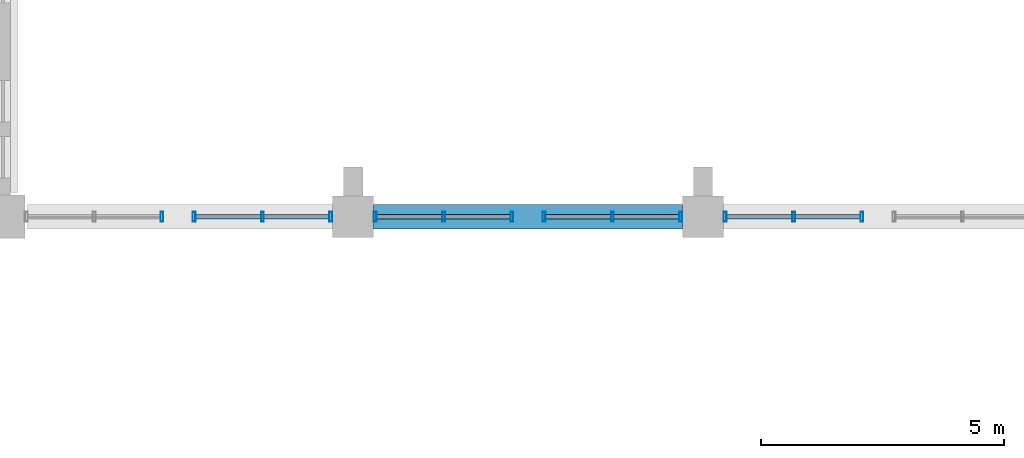
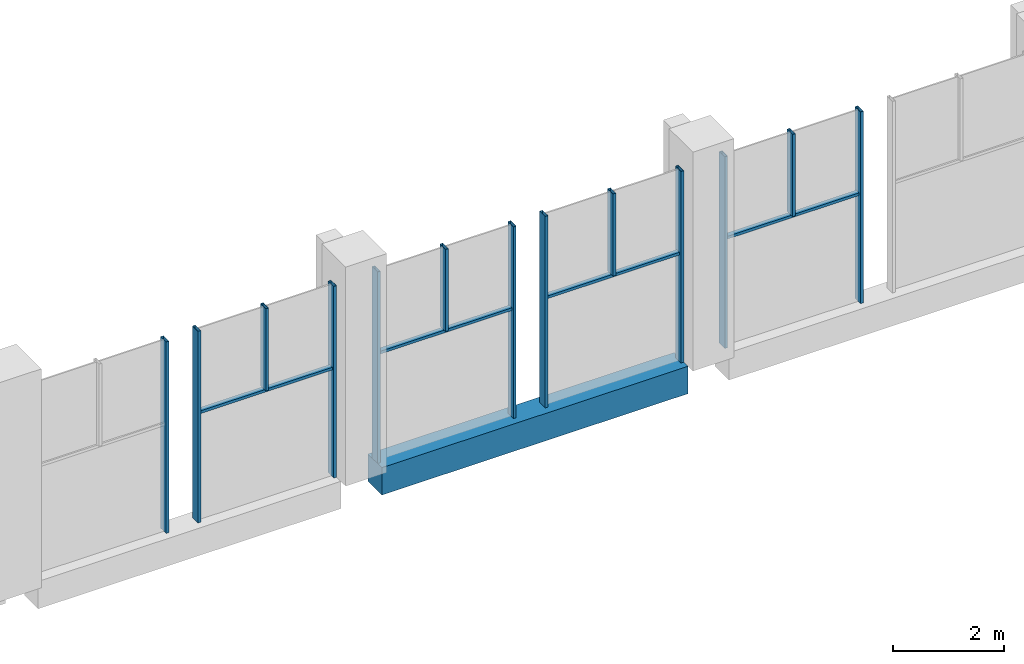
# One storey, part 13 of 40: 17 members, 1 beam, 5 elements without a shape of their own.
"""IFC4 building model written with IfcOpenShell, lengths in metres."""

from ifc_helpers import new_model, si_unit, direction, frame, origin, origin_2d, place, context, subcontext, project, spatial, rectangle, hollow_rectangle, extrude, material, material_profile, profile_set, type_object, element, aggregate, save


model = new_model("IFC4")

# Units and contexts
model_context = context("Model", 3, precision=1e-05, world=origin(), true_north=direction((0.0, 1.0)))
body_context = subcontext(model_context, "Body", "Model", "MODEL_VIEW")
ifc_project = project(units=[si_unit("LENGTHUNIT", "METRE"), si_unit("AREAUNIT", "SQUARE_METRE"), si_unit("VOLUMEUNIT", "CUBIC_METRE"), si_unit("PLANEANGLEUNIT", "RADIAN"), si_unit("MASSUNIT", "GRAM", prefix="KILO")], contexts=[model_context])

# Site, building, storey
site_placement = place(None, origin())
site = spatial("IfcSite", under=ifc_project, at=site_placement, CompositionType="ELEMENT")
building_placement = place(site_placement, origin())
building = spatial("IfcBuilding", under=site, at=building_placement, Name="Silangan Lancet Faculty of Sciences", CompositionType="ELEMENT")
storey_placement = place(building_placement, frame((0.0, 0.0, 16.800048828125)))
storey = spatial("IfcBuildingStorey", under=building, at=storey_placement, Name="L03", CompositionType="ELEMENT", Elevation=16.800048828125)

# Beam
ifc_material_1 = material(Name="Concrete C40/50", Category="concrete")
ifc_material_profile_1 = material_profile(ifc_material_1, rectangle(XDim=0.5, YDim=0.60009765625, at=origin_2d()), Name="RC 500x600")
ifc_profile_set_1 = profile_set([ifc_material_profile_1], Name="Concrete C40/50")
beam_type = type_object("IfcBeamType", Name="BEAM RC 500x600", PredefinedType="BEAM", material=ifc_profile_set_1)
beam_placement = place(storey_placement, frame((36.425048828125, 36.0, -0.300048828125), z_axis=(1.0, 0.0, 0.0), x_axis=(0.0, 1.0, 0.0)))
element("IfcBeam", 1, at=beam_placement, inside=storey, type_object=beam_type, Name="BM-L03-6F-7F", PredefinedType="BEAM", context=body_context, shape_type="SweptSolid", body=[
    extrude(rectangle(XDim=0.5, YDim=0.60009765625, at=origin_2d()), origin(), (0.0, 0.0, 1.0), 6.349853515625),
])

# Curtain wall, members
ifc_material_2 = material(Name="Aluminium framed curtain wall with insulated glass", Category="aluminium")
curtain_wall_type = type_object("IfcCurtainWallType", Name="CW5 Nave north light glazing", PredefinedType="NOTDEFINED", material=ifc_material_2)
curtain_wall_1_placement = place(storey_placement, origin())
curtain_wall_1 = element("IfcCurtainWall", 2, at=curtain_wall_1_placement, inside=storey, type_object=curtain_wall_type, Name="CW5 Nave north lights L03 bay 2", PredefinedType="NOTDEFINED")
ifc_material_3 = material(Name="Aluminium 6063-T6 extrusion", Category="aluminium")
ifc_material_profile_2 = material_profile(ifc_material_3, hollow_rectangle(XDim=0.06005859375, YDim=0.199951171875, WallThickness=0.00390625, at=origin_2d()), Name="AL BOX 60x200x4")
ifc_profile_set_2 = profile_set([ifc_material_profile_2], Name="Aluminium 6063-T6 extrusion")
member_type_1 = type_object("IfcMemberType", Name="CM1 Mullion 60x200", PredefinedType="MULLION", material=ifc_profile_set_2)
member_1_placement = place(storey_placement, frame((46.469970703125, 36.0, 0.0), z_axis=(0.0, 0.0, 1.0), x_axis=(-1.0, 0.0, 0.0)))
member_1 = element("IfcMember", 3, at=member_1_placement, type_object=member_type_1, Name="CW5 Nave north lights L03 bay 2 mullion 1", PredefinedType="MULLION", context=body_context, shape_type="SweptSolid", body=[
    extrude(hollow_rectangle(XDim=0.06005859375, YDim=0.199951171875, WallThickness=0.00390625, at=origin_2d()), origin(), (0.0, 0.0, 1.0), 4.199951171875),
])
member_2_placement = place(storey_placement, frame((43.655029296875, 36.0, 0.0), z_axis=(0.0, 0.0, 1.0), x_axis=(-1.0, 0.0, 0.0)))
member_2 = element("IfcMember", 4, at=member_2_placement, type_object=member_type_1, Name="CW5 Nave north lights L03 bay 2 mullion 2", PredefinedType="MULLION", context=body_context, shape_type="SweptSolid", body=[
    extrude(hollow_rectangle(XDim=0.06005859375, YDim=0.199951171875, WallThickness=0.00390625, at=origin_2d()), origin(), (0.0, 0.0, 1.0), 4.199951171875),
])
member_3_placement = place(storey_placement, frame((45.0625, 36.0, 2.39990234375), z_axis=(0.0, 0.0, 1.0), x_axis=(-1.0, 0.0, 0.0)))
member_3 = element("IfcMember", 5, at=member_3_placement, type_object=member_type_1, Name="CW5 Nave north lights L03 bay 2 mullion 3", PredefinedType="MULLION", context=body_context, shape_type="SweptSolid", body=[
    extrude(hollow_rectangle(XDim=0.06005859375, YDim=0.199951171875, WallThickness=0.00390625, at=origin_2d()), origin(), (0.0, 0.0, 1.0), 1.800048828125),
])

curtain_wall_2_placement = place(storey_placement, origin())
curtain_wall_2 = element("IfcCurtainWall", 6, at=curtain_wall_2_placement, inside=storey, type_object=curtain_wall_type, Name="CW5 Nave north lights L03 bay 3", PredefinedType="NOTDEFINED")
member_4_placement = place(storey_placement, frame((42.7451171875, 36.0, 0.0), z_axis=(0.0, 0.0, 1.0), x_axis=(-1.0, 0.0, 0.0)))
member_4 = element("IfcMember", 7, at=member_4_placement, type_object=member_type_1, Name="CW5 Nave north lights L03 bay 3 mullion 1", PredefinedType="MULLION", context=body_context, shape_type="SweptSolid", body=[
    extrude(hollow_rectangle(XDim=0.06005859375, YDim=0.199951171875, WallThickness=0.00390625, at=origin_2d()), origin(), (0.0, 0.0, 1.0), 4.199951171875),
])
member_5_placement = place(storey_placement, frame((39.93017578125, 36.0, 0.0), z_axis=(0.0, 0.0, 1.0), x_axis=(-1.0, 0.0, 0.0)))
member_5 = element("IfcMember", 8, at=member_5_placement, type_object=member_type_1, Name="CW5 Nave north lights L03 bay 3 mullion 2", PredefinedType="MULLION", context=body_context, shape_type="SweptSolid", body=[
    extrude(hollow_rectangle(XDim=0.06005859375, YDim=0.199951171875, WallThickness=0.00390625, at=origin_2d()), origin(), (0.0, 0.0, 1.0), 4.199951171875),
])
member_6_placement = place(storey_placement, frame((41.337646484375, 36.0, 2.39990234375), z_axis=(0.0, 0.0, 1.0), x_axis=(-1.0, 0.0, 0.0)))
member_6 = element("IfcMember", 9, at=member_6_placement, type_object=member_type_1, Name="CW5 Nave north lights L03 bay 3 mullion 3", PredefinedType="MULLION", context=body_context, shape_type="SweptSolid", body=[
    extrude(hollow_rectangle(XDim=0.06005859375, YDim=0.199951171875, WallThickness=0.00390625, at=origin_2d()), origin(), (0.0, 0.0, 1.0), 1.800048828125),
])

curtain_wall_3_placement = place(storey_placement, origin())
curtain_wall_3 = element("IfcCurtainWall", 10, at=curtain_wall_3_placement, inside=storey, type_object=curtain_wall_type, Name="CW5 Nave north lights L03 bay 4", PredefinedType="NOTDEFINED")
member_7_placement = place(storey_placement, frame((39.27001953125, 36.0, 0.0), z_axis=(0.0, 0.0, 1.0), x_axis=(-1.0, 0.0, 0.0)))
member_7 = element("IfcMember", 11, at=member_7_placement, type_object=member_type_1, Name="CW5 Nave north lights L03 bay 4 mullion 1", PredefinedType="MULLION", context=body_context, shape_type="SweptSolid", body=[
    extrude(hollow_rectangle(XDim=0.06005859375, YDim=0.199951171875, WallThickness=0.00390625, at=origin_2d()), origin(), (0.0, 0.0, 1.0), 4.199951171875),
])
member_8_placement = place(storey_placement, frame((36.455078125, 36.0, 0.0), z_axis=(0.0, 0.0, 1.0), x_axis=(-1.0, 0.0, 0.0)))
member_8 = element("IfcMember", 12, at=member_8_placement, type_object=member_type_1, Name="CW5 Nave north lights L03 bay 4 mullion 2", PredefinedType="MULLION", context=body_context, shape_type="SweptSolid", body=[
    extrude(hollow_rectangle(XDim=0.06005859375, YDim=0.199951171875, WallThickness=0.00390625, at=origin_2d()), origin(), (0.0, 0.0, 1.0), 4.199951171875),
])
member_9_placement = place(storey_placement, frame((37.862548828125, 36.0, 2.39990234375), z_axis=(0.0, 0.0, 1.0), x_axis=(-1.0, 0.0, 0.0)))
member_9 = element("IfcMember", 13, at=member_9_placement, type_object=member_type_1, Name="CW5 Nave north lights L03 bay 4 mullion 3", PredefinedType="MULLION", context=body_context, shape_type="SweptSolid", body=[
    extrude(hollow_rectangle(XDim=0.06005859375, YDim=0.199951171875, WallThickness=0.00390625, at=origin_2d()), origin(), (0.0, 0.0, 1.0), 1.800048828125),
])

curtain_wall_4_placement = place(storey_placement, origin())
curtain_wall_4 = element("IfcCurtainWall", 14, at=curtain_wall_4_placement, inside=storey, type_object=curtain_wall_type, Name="CW5 Nave north lights L03 bay 5", PredefinedType="NOTDEFINED")
member_10_placement = place(storey_placement, frame((35.544921875, 36.0, 0.0), z_axis=(0.0, 0.0, 1.0), x_axis=(-1.0, 0.0, 0.0)))
member_10 = element("IfcMember", 15, at=member_10_placement, type_object=member_type_1, Name="CW5 Nave north lights L03 bay 5 mullion 1", PredefinedType="MULLION", context=body_context, shape_type="SweptSolid", body=[
    extrude(hollow_rectangle(XDim=0.06005859375, YDim=0.199951171875, WallThickness=0.00390625, at=origin_2d()), origin(), (0.0, 0.0, 1.0), 4.199951171875),
])
member_11_placement = place(storey_placement, frame((32.72998046875, 36.0, 0.0), z_axis=(0.0, 0.0, 1.0), x_axis=(-1.0, 0.0, 0.0)))
member_11 = element("IfcMember", 16, at=member_11_placement, type_object=member_type_1, Name="CW5 Nave north lights L03 bay 5 mullion 2", PredefinedType="MULLION", context=body_context, shape_type="SweptSolid", body=[
    extrude(hollow_rectangle(XDim=0.06005859375, YDim=0.199951171875, WallThickness=0.00390625, at=origin_2d()), origin(), (0.0, 0.0, 1.0), 4.199951171875),
])
member_12_placement = place(storey_placement, frame((34.137451171875, 36.0, 2.39990234375), z_axis=(0.0, 0.0, 1.0), x_axis=(-1.0, 0.0, 0.0)))
member_12 = element("IfcMember", 17, at=member_12_placement, type_object=member_type_1, Name="CW5 Nave north lights L03 bay 5 mullion 3", PredefinedType="MULLION", context=body_context, shape_type="SweptSolid", body=[
    extrude(hollow_rectangle(XDim=0.06005859375, YDim=0.199951171875, WallThickness=0.00390625, at=origin_2d()), origin(), (0.0, 0.0, 1.0), 1.800048828125),
])

# Curtain wall, member
curtain_wall_5_placement = place(storey_placement, origin())
curtain_wall_5 = element("IfcCurtainWall", 18, at=curtain_wall_5_placement, inside=storey, type_object=curtain_wall_type, Name="CW5 Nave north lights L03 bay 6", PredefinedType="NOTDEFINED")
member_13_placement = place(storey_placement, frame((32.06982421875, 36.0, 0.0), z_axis=(0.0, 0.0, 1.0), x_axis=(-1.0, 0.0, 0.0)))
member_13 = element("IfcMember", 19, at=member_13_placement, type_object=member_type_1, Name="CW5 Nave north lights L03 bay 6 mullion 1", PredefinedType="MULLION", context=body_context, shape_type="SweptSolid", body=[
    extrude(hollow_rectangle(XDim=0.06005859375, YDim=0.199951171875, WallThickness=0.00390625, at=origin_2d()), origin(), (0.0, 0.0, 1.0), 4.199951171875),
])
aggregate(curtain_wall_5, [member_13])

# Member
ifc_material_4 = material(Name="Aluminium 6063-T6 extrusion", Category="aluminium")
ifc_material_profile_3 = material_profile(ifc_material_4, hollow_rectangle(XDim=0.10009765625, YDim=0.06005859375, WallThickness=0.0029296875, at=origin_2d()), Name="AL BOX 100x60x3")
ifc_profile_set_3 = profile_set([ifc_material_profile_3], Name="Aluminium 6063-T6 extrusion")
member_type_2 = type_object("IfcMemberType", Name="CT1 Transom 100x60", PredefinedType="USERDEFINED", material=ifc_profile_set_3)
member_14_placement = place(storey_placement, frame((46.43994140625, 36.0, 2.369873046875), z_axis=(-1.0, 0.0, 0.0), x_axis=(0.0, -1.0, 0.0)))
member_14 = element("IfcMember", 20, at=member_14_placement, type_object=member_type_2, Name="CW5 Nave north lights L03 bay 2 transom 1", ObjectType="TRANSOM", PredefinedType="USERDEFINED", context=body_context, shape_type="SweptSolid", body=[
    extrude(hollow_rectangle(XDim=0.10009765625, YDim=0.06005859375, WallThickness=0.0029296875, at=origin_2d()), origin(), (0.0, 0.0, 1.0), 2.7548828125),
])

aggregate(curtain_wall_1, [member_1, member_2, member_3, member_14])

member_15_placement = place(storey_placement, frame((42.715087890625, 36.0, 2.369873046875), z_axis=(-1.0, 0.0, 0.0), x_axis=(0.0, -1.0, 0.0)))
member_15 = element("IfcMember", 21, at=member_15_placement, type_object=member_type_2, Name="CW5 Nave north lights L03 bay 3 transom 1", ObjectType="TRANSOM", PredefinedType="USERDEFINED", context=body_context, shape_type="SweptSolid", body=[
    extrude(hollow_rectangle(XDim=0.10009765625, YDim=0.06005859375, WallThickness=0.0029296875, at=origin_2d()), origin(), (0.0, 0.0, 1.0), 2.7548828125),
])

aggregate(curtain_wall_2, [member_4, member_5, member_6, member_15])

member_16_placement = place(storey_placement, frame((39.239990234375, 36.0, 2.369873046875), z_axis=(-1.0, 0.0, 0.0), x_axis=(0.0, -1.0, 0.0)))
member_16 = element("IfcMember", 22, at=member_16_placement, type_object=member_type_2, Name="CW5 Nave north lights L03 bay 4 transom 1", ObjectType="TRANSOM", PredefinedType="USERDEFINED", context=body_context, shape_type="SweptSolid", body=[
    extrude(hollow_rectangle(XDim=0.10009765625, YDim=0.06005859375, WallThickness=0.0029296875, at=origin_2d()), origin(), (0.0, 0.0, 1.0), 2.7548828125),
])

aggregate(curtain_wall_3, [member_7, member_8, member_9, member_16])

member_17_placement = place(storey_placement, frame((35.514892578125, 36.0, 2.369873046875), z_axis=(-1.0, 0.0, 0.0), x_axis=(0.0, -1.0, 0.0)))
member_17 = element("IfcMember", 23, at=member_17_placement, type_object=member_type_2, Name="CW5 Nave north lights L03 bay 5 transom 1", ObjectType="TRANSOM", PredefinedType="USERDEFINED", context=body_context, shape_type="SweptSolid", body=[
    extrude(hollow_rectangle(XDim=0.10009765625, YDim=0.06005859375, WallThickness=0.0029296875, at=origin_2d()), origin(), (0.0, 0.0, 1.0), 2.7548828125),
])

aggregate(curtain_wall_4, [member_10, member_11, member_12, member_17])

save(model, "model.ifc")
